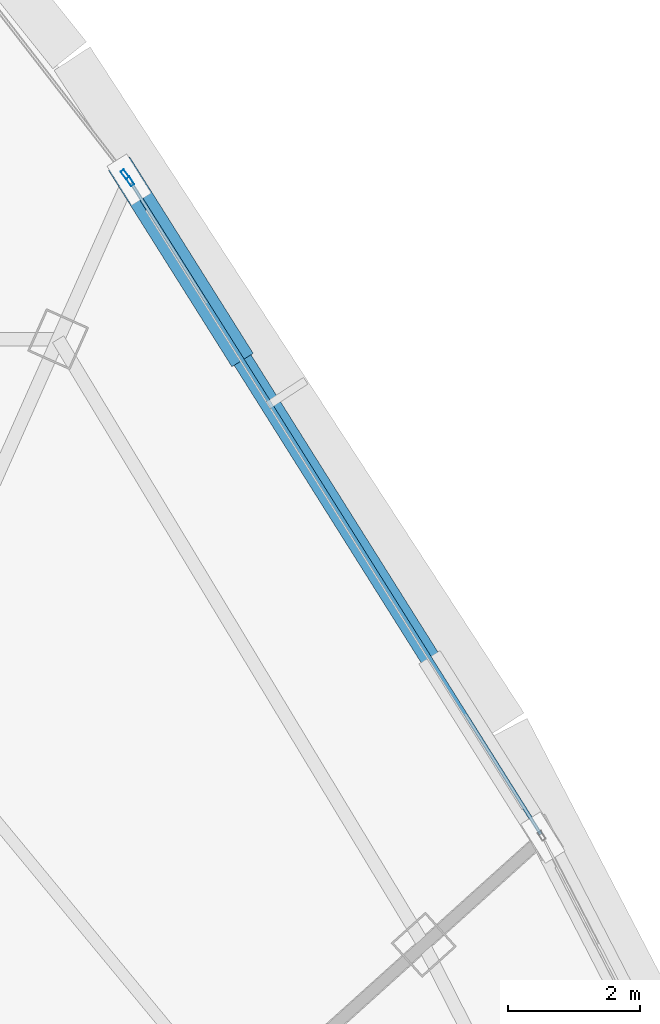
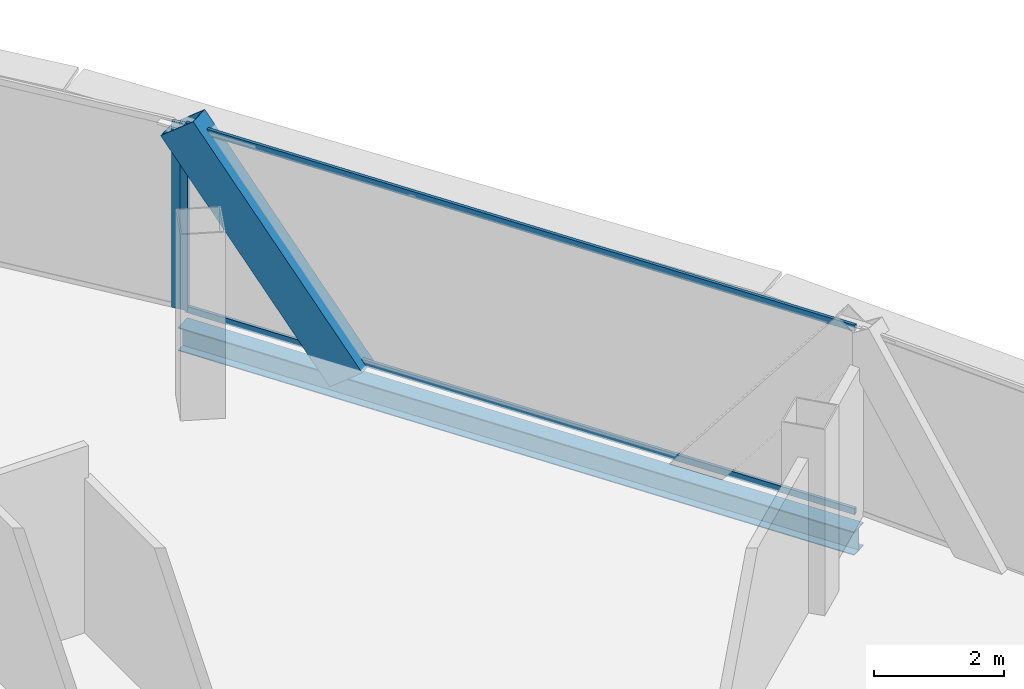
# One storey, part 20 of 30: 5 members, 1 beam, 2 elements without a shape of their own.
"""IFC4 building model written with IfcOpenShell, lengths in metres."""

from ifc_helpers import new_model, si_unit, direction, frame, origin, origin_2d, place, context, subcontext, project, spatial, hollow_rectangle, i_section, extrude, source, transform, mapped, material, layer, layer_set, material_profile, profile_set, type_object, element, aggregate, save


model = new_model("IFC4")

# Units and contexts
model_context = context("Model", 3, precision=1e-05, world=origin(), true_north=direction((0.0, 1.0)))
body_context = subcontext(model_context, "Body", "Model", "MODEL_VIEW")
ifc_project = project(units=[si_unit("LENGTHUNIT", "METRE"), si_unit("AREAUNIT", "SQUARE_METRE"), si_unit("VOLUMEUNIT", "CUBIC_METRE"), si_unit("PLANEANGLEUNIT", "RADIAN"), si_unit("MASSUNIT", "GRAM", prefix="KILO"), si_unit("THERMODYNAMICTEMPERATUREUNIT", "KELVIN"), si_unit("POWERUNIT", "WATT")], contexts=[model_context])

# Site, building, storey
site_placement = place(None, origin())
site = spatial("IfcSite", under=ifc_project, at=site_placement, CompositionType="ELEMENT")
building_placement = place(site_placement, origin())
building = spatial("IfcBuilding", under=site, at=building_placement, Name="Yunzhuo Pagoda Commons", CompositionType="ELEMENT")
storey_placement = place(building_placement, frame((0.0, 0.0, 348.010009765625)))
storey = spatial("IfcBuildingStorey", under=building, at=storey_placement, Name="L87", CompositionType="ELEMENT", Elevation=348.010009765625)

# Beam
ifc_material_1 = material(Name="Structural steel Q355B", Category="steel")
ifc_material_profile_1 = material_profile(ifc_material_1, i_section(OverallWidth=0.300048828125, OverallDepth=0.43994140625, WebThickness=0.010986328125, FlangeThickness=0.01806640625, at=origin_2d()), Name="Structural steel Q355B")
ifc_profile_set_1 = profile_set([ifc_material_profile_1], Name="Structural steel Q355B")
beam_type = type_object("IfcBeamType", Name="B-SP2 Beam HM 440x300x11x18", PredefinedType="BEAM", material=ifc_profile_set_1)
shared_shape_1 = source(origin(), body_context, "Body", "SweptSolid", [
    extrude(i_section(OverallWidth=0.300048828125, OverallDepth=0.43994140625, WebThickness=0.010986328125, FlangeThickness=0.01806640625, at=origin_2d()), origin(), (0.0, 0.0, 1.0), 11.74462890625),
])
beam_placement = place(storey_placement, frame((65.824462890625, 49.749267578125, -0.47998046875), z_axis=(-0.532345654655, 0.846527084014, 0.0), x_axis=(-0.846527084014, -0.532345654655, 0.0)))
element("IfcBeam", 1, at=beam_placement, inside=storey, type_object=beam_type, Name="L87 facade edge spandrel beam F2.3", PredefinedType="BEAM", context=body_context, shape_type="MappedRepresentation", body=[
    mapped(shared_shape_1, transform((0.0, 0.0, 0.0), scale=1.0)),
])

# Member
ifc_material_profile_2 = material_profile(ifc_material_1, hollow_rectangle(XDim=0.3798828125, YDim=0.719970703125, WallThickness=0.02001953125, at=origin_2d()), Name="Structural steel Q355B")
ifc_profile_set_2 = profile_set([ifc_material_profile_2], Name="Structural steel Q355B")
member_type_1 = type_object("IfcMemberType", Name="M-DL3 Brace BOX 720x380x20", PredefinedType="BRACE", material=ifc_profile_set_2)
shared_shape_2 = source(origin(), body_context, "Body", "SweptSolid", [
    extrude(hollow_rectangle(XDim=0.3798828125, YDim=0.719970703125, WallThickness=0.02001953125, at=origin_2d()), origin(), (0.0, 0.0, 1.0), 4.7626953125),
])
member_1_placement = place(storey_placement, frame((61.13525390625, 57.2060546875, -0.260009765625), z_axis=(-0.328179292087, 0.521847109255, 0.787384243434), x_axis=(-0.846518778159, -0.532358862257, 0.0)))
element("IfcMember", 2, at=member_1_placement, inside=storey, type_object=member_type_1, Name="L87 facade diamond brace F2.3R", PredefinedType="BRACE", context=body_context, shape_type="MappedRepresentation", body=[
    mapped(shared_shape_2, transform((0.0, 0.0, 0.0), scale=1.0)),
])

# Curtain wall, member
ifc_material_2 = material(Name="Anodized aluminium 6063-T6", Category="aluminium")
ifc_layer = layer(ifc_material_2, 0.139892578125)
ifc_layer_set = layer_set([ifc_layer], Name="Anodized aluminium 6063-T6")
curtain_wall_type = type_object("IfcCurtainWallType", Name="CW-HI High-Zone Ribbon Curtain Wall", PredefinedType="NOTDEFINED", material=ifc_layer_set)
curtain_wall_1_placement = place(storey_placement, origin())
curtain_wall_1 = element("IfcCurtainWall", 3, at=curtain_wall_1_placement, inside=storey, type_object=curtain_wall_type, Name="L87 curtain wall CW-L87-F2B4", PredefinedType="NOTDEFINED")
ifc_material_profile_3 = material_profile(ifc_material_2, hollow_rectangle(XDim=0.06005859375, YDim=0.139892578125, WallThickness=0.00341796875, at=origin_2d()), Name="Anodized aluminium 6063-T6")
ifc_profile_set_3 = profile_set([ifc_material_profile_3], Name="Anodized aluminium 6063-T6")
member_type_2 = type_object("IfcMemberType", Name="CW-HI-M Mullion RHS 140x60x3.5", PredefinedType="MULLION", material=ifc_profile_set_3)
shared_shape_3 = source(origin(), body_context, "Body", "SweptSolid", [
    extrude(hollow_rectangle(XDim=0.06005859375, YDim=0.139892578125, WallThickness=0.00341796875, at=origin_2d()), origin(), (0.0, 0.0, 1.0), 3.489990234375),
])
member_2_placement = place(storey_placement, frame((59.588134765625, 59.666015625, 0.0), z_axis=(0.0, 0.0, 1.0), x_axis=(-0.846524621891, -0.532349569861, 0.0)))
member_2 = element("IfcMember", 4, at=member_2_placement, type_object=member_type_2, Name="CW mullion 2", PredefinedType="MULLION", context=body_context, shape_type="MappedRepresentation", body=[
    mapped(shared_shape_3, transform((0.0, 0.0, 0.0), scale=1.0)),
])

curtain_wall_2_placement = place(storey_placement, origin())
curtain_wall_2 = element("IfcCurtainWall", 5, at=curtain_wall_2_placement, inside=storey, type_object=curtain_wall_type, Name="L87 curtain wall CW-L87-F2B5", PredefinedType="NOTDEFINED")
member_3_placement = place(storey_placement, frame((59.508056640625, 59.7744140625, 0.0), z_axis=(0.0, 0.0, 1.0), x_axis=(-0.790927145065, -0.611910329378, 0.0)))
member_3 = element("IfcMember", 6, at=member_3_placement, type_object=member_type_2, Name="CW mullion 1", PredefinedType="MULLION", context=body_context, shape_type="MappedRepresentation", body=[
    mapped(shared_shape_3, transform((0.0, 0.0, 0.0), scale=1.0)),
])
aggregate(curtain_wall_2, [member_3])

# Member
ifc_material_profile_4 = material_profile(ifc_material_2, hollow_rectangle(XDim=0.054931640625, YDim=0.1201171875, WallThickness=0.00341796875, at=origin_2d()), Name="Anodized aluminium 6063-T6")
ifc_profile_set_4 = profile_set([ifc_material_profile_4], Name="Anodized aluminium 6063-T6")
member_type_3 = type_object("IfcMemberType", Name="CW-HI-T Transom RHS 120x55x3.5", PredefinedType="USERDEFINED", material=ifc_profile_set_4)
shared_shape_4 = source(origin(), body_context, "Body", "SweptSolid", [
    extrude(hollow_rectangle(XDim=0.054931640625, YDim=0.1201171875, WallThickness=0.00341796875, at=origin_2d()), origin(), (0.0, 0.0, 1.0), 11.624755859375),
])
member_4_placement = place(storey_placement, frame((65.792724609375, 49.800048828125, 0.027587890625), z_axis=(-0.532354761255, 0.846521357184, 0.0), x_axis=(-0.846521357184, -0.532354761255, 0.0)))
member_4 = element("IfcMember", 7, at=member_4_placement, type_object=member_type_3, Name="CW transom 1.1", ObjectType="TRANSOM", PredefinedType="USERDEFINED", context=body_context, shape_type="MappedRepresentation", body=[
    mapped(shared_shape_4, transform((0.0, 0.0, 0.0), scale=1.0)),
])

member_5_placement = place(storey_placement, frame((65.792724609375, 49.800048828125, 3.46240234375), z_axis=(-0.532354761255, 0.846521357184, 0.0), x_axis=(-0.846521357184, -0.532354761255, 0.0)))
member_5 = element("IfcMember", 8, at=member_5_placement, type_object=member_type_3, Name="CW transom 1.2", ObjectType="TRANSOM", PredefinedType="USERDEFINED", context=body_context, shape_type="MappedRepresentation", body=[
    mapped(shared_shape_4, transform((0.0, 0.0, 0.0), scale=1.0)),
])

aggregate(curtain_wall_1, [member_2, member_4, member_5])

save(model, "model.ifc")
